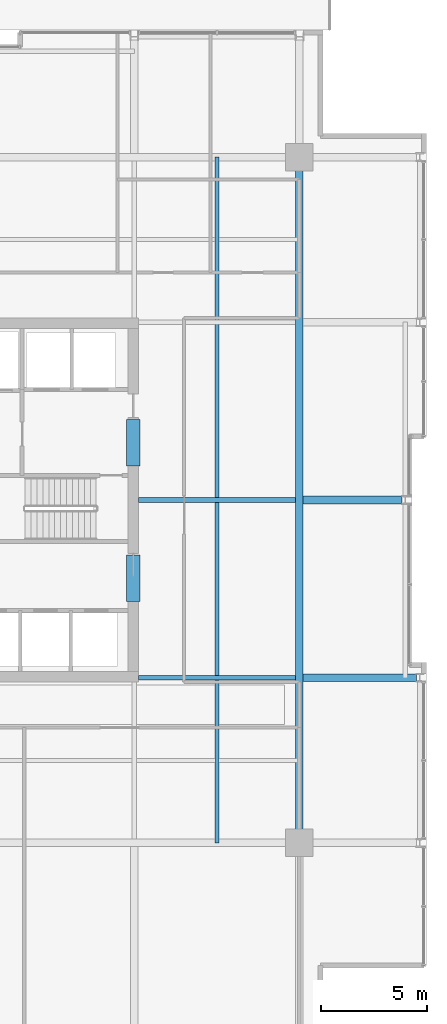
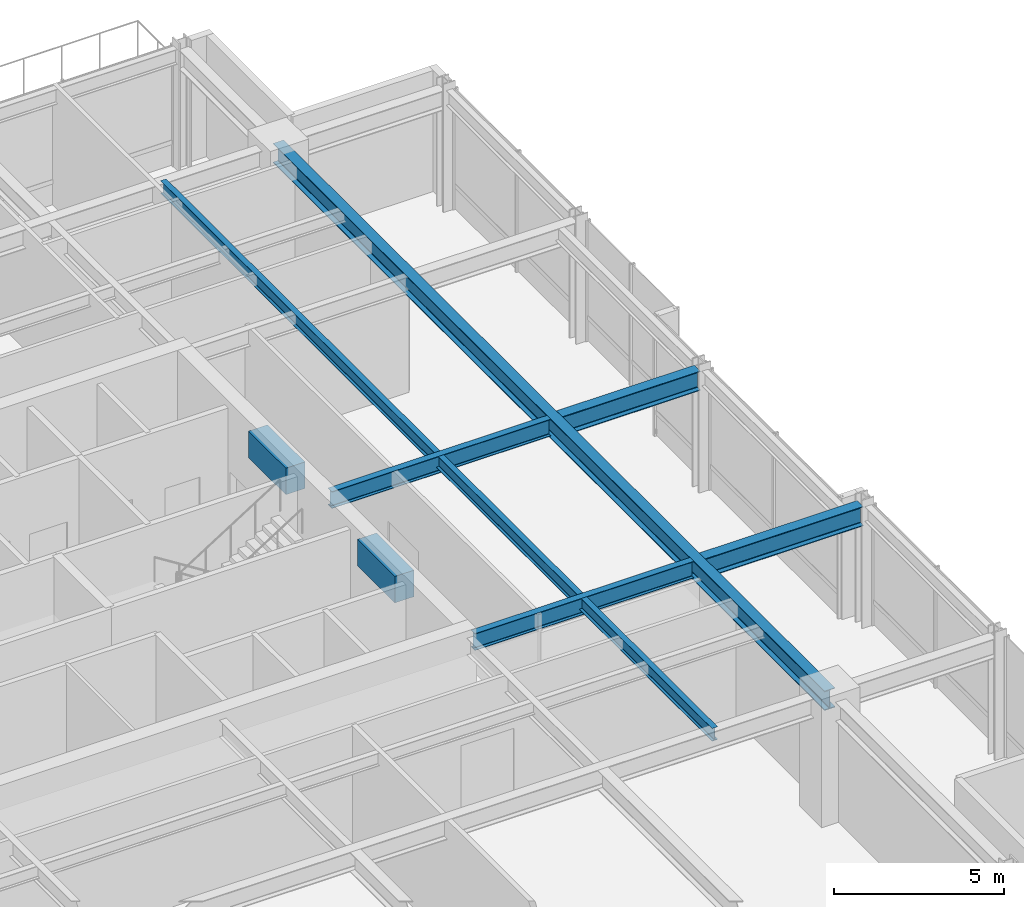
# One storey, part 14 of 32: 8 beams.
"""IFC4 building model written with IfcOpenShell, lengths in metres."""

from ifc_helpers import new_model, si_unit, direction, frame, origin, origin_2d, place, context, subcontext, project, spatial, rectangle, i_section, extrude, material, material_profile, profile_set, type_object, element, save


model = new_model("IFC4")

# Units and contexts
model_context = context("Model", 3, precision=1e-05, world=origin(), true_north=direction((0.0, 1.0)))
body_context = subcontext(model_context, "Body", "Model", "MODEL_VIEW")
ifc_project = project(units=[si_unit("LENGTHUNIT", "METRE"), si_unit("AREAUNIT", "SQUARE_METRE"), si_unit("VOLUMEUNIT", "CUBIC_METRE"), si_unit("PLANEANGLEUNIT", "RADIAN"), si_unit("MASSUNIT", "GRAM", prefix="KILO")], contexts=[model_context])

# Site, building, storey
site_placement = place(None, origin())
site = spatial("IfcSite", under=ifc_project, at=site_placement, CompositionType="ELEMENT")
building_placement = place(site_placement, origin())
building = spatial("IfcBuilding", under=site, at=building_placement, Name="Drelvath Grand Hotel", CompositionType="ELEMENT")
storey_placement = place(building_placement, frame((0.0, 0.0, 145.800048828125)))
storey = spatial("IfcBuildingStorey", under=building, at=storey_placement, Name="L37", CompositionType="ELEMENT", Elevation=145.800048828125)

# Beams
ifc_material_1 = material(Name="Steel ASTM A992 Gr 50", Category="steel")
ifc_material_profile_1 = material_profile(ifc_material_1, i_section(OverallWidth=0.19140625, OverallDepth=0.4599609375, WebThickness=0.010009765625, FlangeThickness=0.01611328125, FilletRadius=0.01611328125, at=origin_2d()), Name="W18X55")
ifc_profile_set_1 = profile_set([ifc_material_profile_1], Name="Steel ASTM A992 Gr 50")
beam_type_1 = type_object("IfcBeamType", Name="Composite Floor Joist W18X55", PredefinedType="JOIST", material=ifc_profile_set_1)
beam_1_placement = place(storey_placement, frame((12.300048828125, 10.800048828125, 4.10986328125), z_axis=(0.0, 1.0, 0.0), x_axis=(-1.0, 0.0, 0.0)))
element("IfcBeam", 1, at=beam_1_placement, inside=storey, type_object=beam_type_1, Name="L37 Wing Floor Joist J4", PredefinedType="JOIST", context=body_context, shape_type="SweptSolid", body=[
    extrude(i_section(OverallWidth=0.19140625, OverallDepth=0.4599609375, WebThickness=0.010009765625, FlangeThickness=0.01611328125, FilletRadius=0.01611328125, at=origin_2d()), origin(), (0.0, 0.0, 1.0), 32.39990234375),
])
ifc_material_2 = material(Name="Concrete f'c 55 MPa", Category="concrete")
ifc_material_profile_2 = material_profile(ifc_material_2, rectangle(XDim=0.64990234375, YDim=0.949951171875, at=origin_2d()), Name="CB650X950")
ifc_profile_set_2 = profile_set([ifc_material_profile_2], Name="Concrete f'c 55 MPa")
beam_type_2 = type_object("IfcBeamType", Name="Core Coupling Lintel CB650X950", PredefinedType="LINTEL", material=ifc_profile_set_2)
for number, where, z_axis, x_axis, name in (
    (2, (8.35009765625, 22.199951171875, 3.864990234375), (0.0, 1.0, 0.0), (-1.0, 0.0, 0.0), "L37 Core Coupling Lintel ES"),
    (3, (8.35009765625, 28.60009765625, 3.864990234375), (0.0, 1.0, 0.0), (-1.0, 0.0, 0.0), "L37 Core Coupling Lintel EN"),
):
    element("IfcBeam", number, at=place(storey_placement, frame(where, z_axis=z_axis, x_axis=x_axis)), inside=storey, type_object=beam_type_2, Name=name, PredefinedType="LINTEL", context=body_context, shape_type="SweptSolid", body=[
        extrude(rectangle(XDim=0.64990234375, YDim=0.949951171875, at=origin_2d()), origin(), (0.0, 0.0, 1.0), 2.199951171875),
    ])
ifc_material_profile_3 = material_profile(ifc_material_1, i_section(OverallWidth=0.228271484375, OverallDepth=0.607666015625, WebThickness=0.01123046875, FlangeThickness=0.017333984375, FilletRadius=0.02001953125, at=origin_2d()), Name="W24X76")
ifc_profile_set_3 = profile_set([ifc_material_profile_3], Name="Steel ASTM A992 Gr 50")
beam_type_3 = type_object("IfcBeamType", Name="Primary Floor Girder W24X76", PredefinedType="BEAM", material=ifc_profile_set_3)
for number, where, z_axis, x_axis, name in (
    (4, (8.60009765625, 18.60009765625, 4.0361328125), (1.0, 0.0, 0.0), (0.0, 1.0, 0.0), "L37 East Core Tie D"),
    (5, (8.60009765625, 27.0, 4.0361328125), (1.0, 0.0, 0.0), (0.0, 1.0, 0.0), "L37 East Core Tie E"),
):
    element("IfcBeam", number, at=place(storey_placement, frame(where, z_axis=z_axis, x_axis=x_axis)), inside=storey, type_object=beam_type_3, Name=name, PredefinedType="BEAM", context=body_context, shape_type="SweptSolid", body=[
        extrude(i_section(OverallWidth=0.228271484375, OverallDepth=0.607666015625, WebThickness=0.01123046875, FlangeThickness=0.017333984375, FilletRadius=0.02001953125, at=origin_2d()), origin(), (0.0, 0.0, 1.0), 7.422607421875),
    ])
ifc_material_profile_4 = material_profile(ifc_material_1, i_section(OverallWidth=0.354736328125, OverallDepth=0.695556640625, WebThickness=0.015380859375, FlangeThickness=0.025146484375, FilletRadius=0.02392578125, at=origin_2d()), Name="W27X146")
ifc_profile_set_4 = profile_set([ifc_material_profile_4], Name="Steel ASTM A992 Gr 50")
beam_type_4 = type_object("IfcBeamType", Name="Primary Floor Girder W27X146", PredefinedType="BEAM", material=ifc_profile_set_4)
beam_2_placement = place(storey_placement, frame((16.199951171875, 10.800048828125, 3.9921875), z_axis=(0.0, 1.0, 0.0), x_axis=(-1.0, 0.0, 0.0)))
element("IfcBeam", 6, at=beam_2_placement, inside=storey, type_object=beam_type_4, Name="L37 Mega Ring Girder East", PredefinedType="BEAM", context=body_context, shape_type="SweptSolid", body=[
    extrude(i_section(OverallWidth=0.354736328125, OverallDepth=0.695556640625, WebThickness=0.015380859375, FlangeThickness=0.025146484375, FilletRadius=0.02392578125, at=origin_2d()), origin(), (0.0, 0.0, 1.0), 32.39990234375),
])
beam_3_placement = place(storey_placement, frame((16.37744140625, 18.60009765625, 3.9921875), z_axis=(1.0, 0.0, 0.0), x_axis=(0.0, 1.0, 0.0)))
element("IfcBeam", 7, at=beam_3_placement, inside=storey, type_object=beam_type_4, Name="L37 East Wing Girder D", PredefinedType="BEAM", context=body_context, shape_type="SweptSolid", body=[
    extrude(i_section(OverallWidth=0.354736328125, OverallDepth=0.695556640625, WebThickness=0.015380859375, FlangeThickness=0.025146484375, FilletRadius=0.02392578125, at=origin_2d()), origin(), (0.0, 0.0, 1.0), 5.362548828125),
])
beam_4_placement = place(storey_placement, frame((16.37744140625, 27.0, 3.9921875), z_axis=(1.0, 0.0, 0.0), x_axis=(0.0, 1.0, 0.0)))
element("IfcBeam", 8, at=beam_4_placement, inside=storey, type_object=beam_type_4, Name="L37 East Wing Girder E", PredefinedType="BEAM", context=body_context, shape_type="SweptSolid", body=[
    extrude(i_section(OverallWidth=0.354736328125, OverallDepth=0.695556640625, WebThickness=0.015380859375, FlangeThickness=0.025146484375, FilletRadius=0.02392578125, at=origin_2d()), origin(), (0.0, 0.0, 1.0), 4.6826171875),
])

save(model, "model.ifc")
